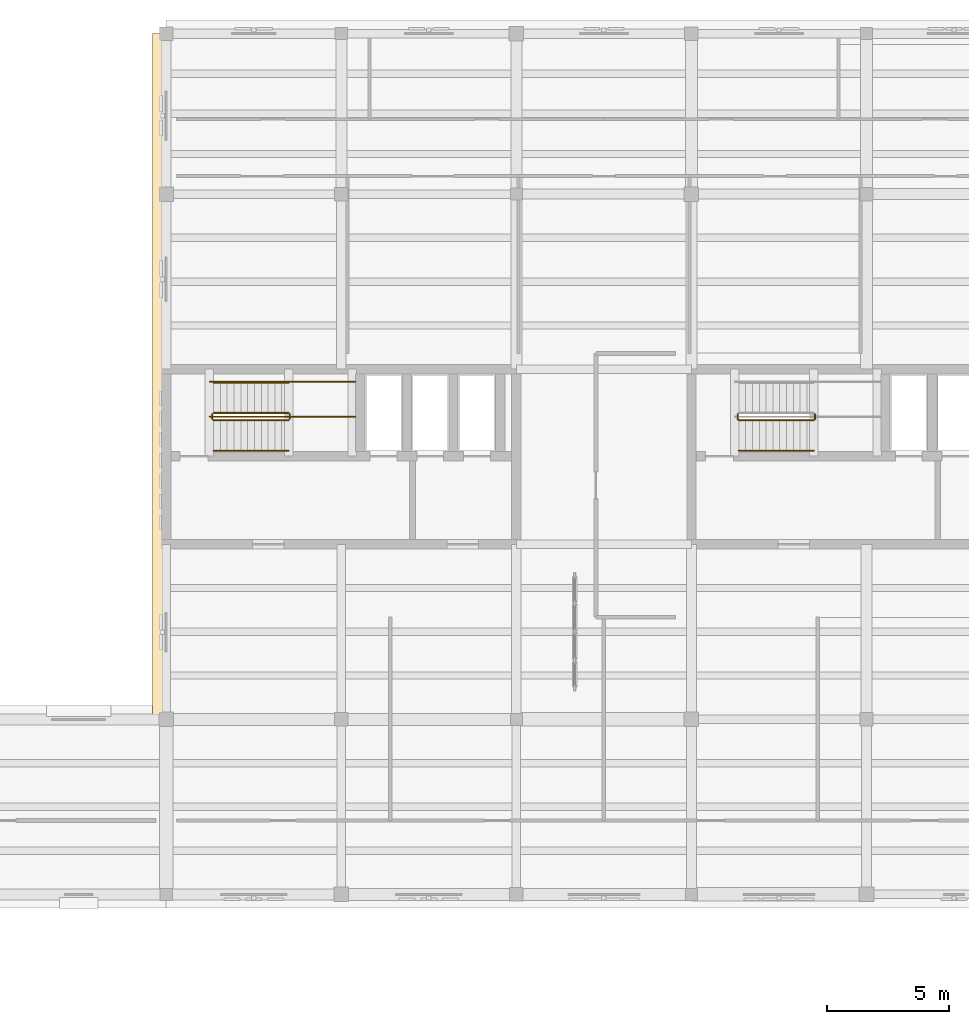
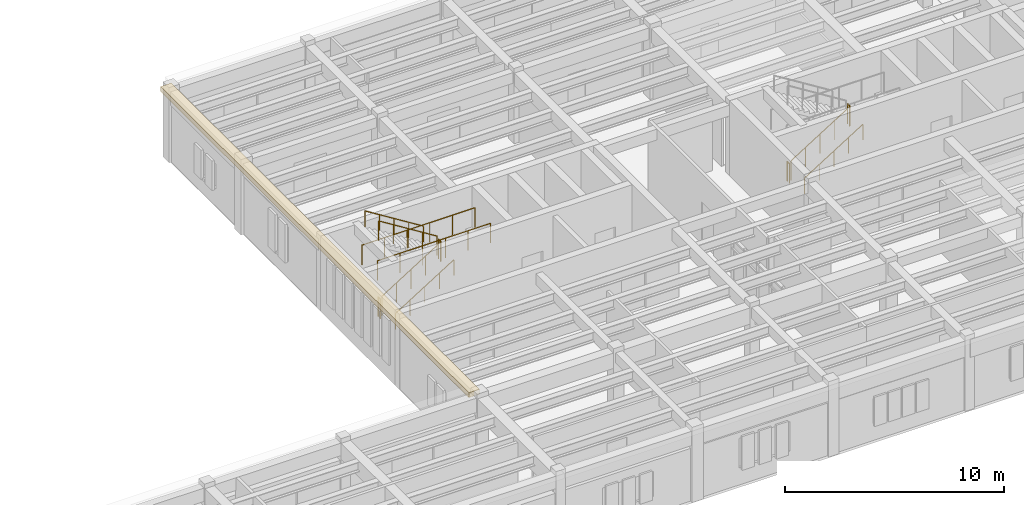
# One storey, part 26 of 27: 12 railings, 1 covering.
"""IFC4 building model written with IfcOpenShell, lengths in metres."""

import ifcopenshell
import ifcopenshell.guid

model = None  # the IFC model being written
_history = None  # IfcOwnerHistory: only IFC2X3 demands one
_inside = {}  # id of a spatial element -> (the spatial element, [elements in it])
_under = {}  # id of a project, library or spatial element -> (it, [spatial elements below it])
_declared = {}  # id of a project -> (the project, [libraries it declares])
_typed = {}  # id of a type object -> (the type object, [elements of that type])
_made_of = {}  # id of a material, layer set ... -> (it, [elements and type objects made of it])


def new_model(schema):
    """Start an empty IFC model of exactly this schema.

    Asked for "IFC4X3", IfcOpenShell would pick the latest addendum, in which some entities
    have other attributes; the version numbers below select the first issue.
    IFC2X3 requires an IfcOwnerHistory on every rooted entity: one is made here for all.
    """
    global model, _history
    if schema == "IFC4X3":
        model = ifcopenshell.file(schema_version=(4, 3, 0, 0))
    else:
        model = ifcopenshell.file(schema=schema)
    _inside.clear()
    _under.clear()
    _declared.clear()
    _typed.clear()
    _made_of.clear()
    _history = None
    if model.schema == "IFC2X3":
        org = make("IfcOrganization", Name="unknown")
        user = make(
            "IfcPersonAndOrganization",
            ThePerson=make("IfcPerson", FamilyName="unknown"),
            TheOrganization=org,
        )
        app = make(
            "IfcApplication",
            ApplicationDeveloper=org,
            Version="unknown",
            ApplicationFullName="unknown",
            ApplicationIdentifier="unknown",
        )
        _history = make(
            "IfcOwnerHistory",
            OwningUser=user,
            OwningApplication=app,
            ChangeAction="ADDED",
            CreationDate=0,
        )
    return model


def make(cls, **values):
    """One entity of the class cls with the attributes given. An attribute that is None is left unset."""
    return model.create_entity(
        cls, **{name: value for name, value in values.items() if value is not None}
    )


def rooted(cls, **values):
    """An entity with a GlobalId (a new one), such as an element, a storey or a relation."""
    return make(cls, GlobalId=ifcopenshell.guid.new(), OwnerHistory=_history, **values)


def si_unit(unit_type, name, prefix=None):
    """IfcSIUnit, for example si_unit("LENGTHUNIT", "METRE", prefix="MILLI")."""
    return make("IfcSIUnit", UnitType=unit_type, Prefix=prefix, Name=name)


def assignment(units):
    """IfcUnitAssignment: the units of a project."""
    return None if units is None else make("IfcUnitAssignment", Units=units)


def point(xyz):
    """IfcCartesianPoint."""
    return None if xyz is None else make("IfcCartesianPoint", Coordinates=xyz)


def direction(xyz):
    """IfcDirection."""
    return None if xyz is None else make("IfcDirection", DirectionRatios=xyz)


def frame(location, z_axis=None, x_axis=None):
    """IfcAxis2Placement3D, a coordinate frame: its origin and axes. An axis left out is left unset."""
    return make(
        "IfcAxis2Placement3D",
        Location=point(location),
        Axis=direction(z_axis),
        RefDirection=direction(x_axis),
    )


def frame_2d(location, x_axis=None):
    """IfcAxis2Placement2D, a coordinate frame in the plane: its origin and x axis."""
    return make(
        "IfcAxis2Placement2D", Location=point(location), RefDirection=direction(x_axis)
    )


def origin():
    """The frame at (0, 0, 0) with its axes left unset."""
    return frame((0.0, 0.0, 0.0))


def origin_2d():
    """The frame at (0, 0) in the plane with its x axis left unset."""
    return frame_2d((0.0, 0.0))


def place(relative_to, where):
    """IfcLocalPlacement: puts the frame where relative to a parent placement (None: the world)."""
    return make(
        "IfcLocalPlacement", PlacementRelTo=relative_to, RelativePlacement=where
    )


def context(
    kind, dimensions, precision=None, world=None, true_north=None, identifier=None
):
    """IfcGeometricRepresentationContext, for example the 3D "Model" context."""
    return make(
        "IfcGeometricRepresentationContext",
        ContextIdentifier=identifier,
        ContextType=kind,
        CoordinateSpaceDimension=dimensions,
        Precision=precision,
        WorldCoordinateSystem=world,
        TrueNorth=true_north,
    )


def subcontext(parent, identifier, kind, view, scale=None):
    """IfcGeometricRepresentationSubContext, for example "Body" below "Model"."""
    return make(
        "IfcGeometricRepresentationSubContext",
        ContextIdentifier=identifier,
        ContextType=kind,
        ParentContext=parent,
        TargetScale=scale,
        TargetView=view,
    )


def project(units=None, contexts=None):
    """IfcProject with its units and contexts."""
    return rooted(
        "IfcProject",
        Name="project",
        RepresentationContexts=contexts,
        UnitsInContext=assignment(units),
    )


def spatial(cls, under=None, at=None, **own):
    """A site, building, storey or space (cls), placed at a placement, below another one or the project."""
    s = rooted(cls, ObjectPlacement=at, **own)
    if under is not None:
        _under.setdefault(under.id(), (under, []))[1].append(s)
    return s


def profile(cls, at=None, kind="AREA", **sizes):
    """A parametric profile (cls). Its sizes go by their IFC names, for example OverallWidth=200.0."""
    return make(cls, ProfileType=kind, Position=at, **sizes)


def rectangle(**sizes):
    """IfcRectangleProfileDef."""
    return profile("IfcRectangleProfileDef", **sizes)


def circle(**sizes):
    """IfcCircleProfileDef."""
    return profile("IfcCircleProfileDef", **sizes)


def extrude(swept, where, along, depth):
    """IfcExtrudedAreaSolid: the profile swept, set in the frame where, extruded along a direction by depth."""
    return make(
        "IfcExtrudedAreaSolid",
        SweptArea=swept,
        Position=where,
        ExtrudedDirection=direction(along),
        Depth=depth,
    )


def shape(context_of_items, identifier, shape_type, items):
    """IfcShapeRepresentation: the items that make up one representation, for example the "Body"."""
    return make(
        "IfcShapeRepresentation",
        ContextOfItems=context_of_items,
        RepresentationIdentifier=identifier,
        RepresentationType=shape_type,
        Items=items,
    )


def material(Name=None, Category=None):
    """IfcMaterial."""
    return make("IfcMaterial", Name=Name, Category=Category)


def layer(
    of_material, thickness, ventilated=None, Name=None, Category=None, Priority=None
):
    """IfcMaterialLayer: one layer of a wall or slab, of a material (None: an air gap)."""
    return make(
        "IfcMaterialLayer",
        Material=of_material,
        LayerThickness=thickness,
        IsVentilated=ventilated,
        Name=Name,
        Category=Category,
        Priority=Priority,
    )


def layer_set(layers, Name=None):
    """IfcMaterialLayerSet."""
    return make("IfcMaterialLayerSet", MaterialLayers=layers, LayerSetName=Name)


def made_of(thing, what):
    """Note that an element or type object is made of a material, layer set ...; save() writes the relation."""
    if what is not None:
        _made_of.setdefault(what.id(), (what, []))[1].append(thing)
    return thing


def type_object(cls, material=None, **own):
    """A type object (cls), such as IfcWallType, which elements share."""
    return made_of(rooted(cls, **own), material)


def element(
    cls,
    number,
    at=None,
    inside=None,
    cuts=None,
    type_object=None,
    material=None,
    context=None,
    identifier="Body",
    shape_type=None,
    held_by="IfcProductDefinitionShape",
    body=None,
    shapes=None,
    **own,
):
    """One element of the class cls, such as IfcWall. Its Tag is "e" and its number.

    at: its placement. inside: the storey or other place that contains it. cuts: it is an
    opening in that element (IfcRelVoidsElement). A single representation is given by context,
    identifier, shape_type and body (its items); several are given by shapes. held_by: the class
    of the entity that holds the representations. save() writes the other relations.
    """
    e = rooted(cls, Tag="e%d" % number, ObjectPlacement=at, **own)
    if body is not None:
        shapes = [shape(context, identifier, shape_type, body)]
    if shapes is not None:
        e.Representation = make(held_by, Representations=shapes)
    if inside is not None:
        _inside.setdefault(inside.id(), (inside, []))[1].append(e)
    if cuts is not None:
        rooted(
            "IfcRelVoidsElement", RelatingBuildingElement=cuts, RelatedOpeningElement=e
        )
    if type_object is not None:
        _typed.setdefault(type_object.id(), (type_object, []))[1].append(e)
    return made_of(e, material)


def aggregate(whole, parts):
    """IfcRelAggregates: a whole, such as a stair, and the parts it consists of."""
    return rooted("IfcRelAggregates", RelatingObject=whole, RelatedObjects=parts)


def save(model, path):
    """Write the relations noted so far, then the file.

    IfcRelAggregates (storeys below a building ...), IfcRelContainedInSpatialStructure (elements
    in a storey), IfcRelDefinesByType, IfcRelAssociatesMaterial and IfcRelDeclares: one each for
    every whole, place, type object, material and project.
    """
    for whole, parts in _under.values():
        aggregate(whole, parts)
    for where, things in _inside.values():
        rooted(
            "IfcRelContainedInSpatialStructure",
            RelatedElements=things,
            RelatingStructure=where,
        )
    for kind, things in _typed.values():
        rooted("IfcRelDefinesByType", RelatedObjects=things, RelatingType=kind)
    for what, things in _made_of.values():
        rooted("IfcRelAssociatesMaterial", RelatedObjects=things, RelatingMaterial=what)
    for by, libraries in _declared.values():
        rooted("IfcRelDeclares", RelatingContext=by, RelatedDefinitions=libraries)
    model.write(path)


model = new_model("IFC4")

# Units and contexts
model_context = context("Model", 3, precision=1e-05, world=origin(), true_north=direction((0.0, 1.0)))
body_context = subcontext(model_context, "Body", "Model", "MODEL_VIEW")
ifc_project = project(units=[si_unit("LENGTHUNIT", "METRE"), si_unit("AREAUNIT", "SQUARE_METRE"), si_unit("VOLUMEUNIT", "CUBIC_METRE"), si_unit("PLANEANGLEUNIT", "RADIAN"), si_unit("MASSUNIT", "GRAM", prefix="KILO")], contexts=[model_context])

# Site, building, storey
site_placement = place(None, origin())
site = spatial("IfcSite", under=ifc_project, at=site_placement, CompositionType="ELEMENT")
building_placement = place(site_placement, origin())
building = spatial("IfcBuilding", under=site, at=building_placement, Name="Mithqara Police Headquarters", CompositionType="ELEMENT")
storey_placement = place(building_placement, frame((0.0, 0.0, 18.0)))
storey = spatial("IfcBuildingStorey", under=building, at=storey_placement, Name="L04", CompositionType="ELEMENT", Elevation=18.0)

# Covering
ifc_material_1 = material(Name="Limestone ashlar masonry, 45 MPa", Category="masonry")
ifc_layer = layer(ifc_material_1, 0.320068359375, Name="Limestone ashlar masonry, 45 MPa")
ifc_layer_set = layer_set([ifc_layer], Name="Limestone ashlar masonry, 45 MPa")
covering_type = type_object("IfcCoveringType", Name="CORNICE LIMESTONE", PredefinedType="CLADDING", material=ifc_layer_set)
covering_placement = place(storey_placement, frame((108.320068359375, 99.89990234375, 3.919921875), z_axis=(0.0, 0.0, 1.0), x_axis=(0.0, 1.0, 0.0)))
element("IfcCovering", 1, at=covering_placement, inside=storey, type_object=covering_type, Name="L04 Projecting Ottoman Limestone Eaves Cornice 7", PredefinedType="CLADDING", context=body_context, shape_type="SweptSolid", body=[
    extrude(rectangle(XDim=28.199951171875, YDim=0.56005859375, at=origin_2d()), origin(), (0.0, 0.0, 1.0), 0.280029296875),
])

# Railings
ifc_material_2 = material(Name="Steel S355JR", Category="steel")
railing_type_1 = type_object("IfcRailingType", Name="HANDRAIL 920", PredefinedType="HANDRAIL", material=ifc_material_2)
railing_1_placement = place(storey_placement, frame((110.550048828125, 96.85009765625, 0.175048828125)))
element("IfcRailing", 2, at=railing_1_placement, inside=storey, type_object=railing_type_1, Name="L04 ST-01 stair handrail 1", PredefinedType="HANDRAIL", context=body_context, shape_type="SweptSolid", body=[
    extrude(circle(Radius=0.02392578125, at=origin_2d()), frame((0.0, 0.0, 0.8759765625), z_axis=(0.847979421464, 0.0, 0.530029150871), x_axis=(0.0, 1.0, 0.0)), (0.0, 0.0, 1.0), 3.632080078125),
    extrude(circle(Radius=0.02099609375, at=origin_2d()), origin(), (0.0, 0.0, 1.0), 0.851806640625),
    extrude(circle(Radius=0.02099609375, at=origin_2d()), frame((0.77001953125, 0.0, 0.481201171875)), (0.0, 0.0, 1.0), 0.851806640625),
    extrude(circle(Radius=0.02099609375, at=origin_2d()), frame((1.5400390625, 0.0, 0.96240234375)), (0.0, 0.0, 1.0), 0.851806640625),
    extrude(circle(Radius=0.02099609375, at=origin_2d()), frame((2.309814453125, 0.0, 1.44384765625)), (0.0, 0.0, 1.0), 0.851806640625),
    extrude(circle(Radius=0.02099609375, at=origin_2d()), frame((3.079833984375, 0.0, 1.925048828125)), (0.0, 0.0, 1.0), 0.851806640625),
])
railing_2_placement = place(storey_placement, frame((113.6298828125, 99.64990234375, 2.27490234375)))
element("IfcRailing", 3, at=railing_2_placement, inside=storey, type_object=railing_type_1, Name="L04 ST-01 stair handrail 2", PredefinedType="HANDRAIL", context=body_context, shape_type="SweptSolid", body=[
    extrude(circle(Radius=0.02392578125, at=origin_2d()), frame((0.0, 0.0, 0.8759765625), z_axis=(-0.847979421464, 0.0, 0.530029150871), x_axis=(0.0, -1.0, 0.0)), (0.0, 0.0, 1.0), 3.632080078125),
    extrude(circle(Radius=0.02099609375, at=origin_2d()), origin(), (0.0, 0.0, 1.0), 0.851806640625),
    extrude(circle(Radius=0.02099609375, at=origin_2d()), frame((-0.77001953125, 0.0, 0.481201171875)), (0.0, 0.0, 1.0), 0.851806640625),
    extrude(circle(Radius=0.02099609375, at=origin_2d()), frame((-1.5400390625, 0.0, 0.96240234375)), (0.0, 0.0, 1.0), 0.851806640625),
    extrude(circle(Radius=0.02099609375, at=origin_2d()), frame((-2.309814453125, 0.0, 1.44384765625)), (0.0, 0.0, 1.0), 0.851806640625),
    extrude(circle(Radius=0.02099609375, at=origin_2d()), frame((-3.079833984375, 0.0, 1.925048828125)), (0.0, 0.0, 1.0), 0.851806640625),
])
railing_3_placement = place(storey_placement, frame((132.14990234375, 96.85009765625, 0.175048828125)))
element("IfcRailing", 4, at=railing_3_placement, inside=storey, type_object=railing_type_1, Name="L04 ST-02 stair handrail 1", PredefinedType="HANDRAIL", context=body_context, shape_type="SweptSolid", body=[
    extrude(circle(Radius=0.02392578125, at=origin_2d()), frame((0.0, 0.0, 0.8759765625), z_axis=(0.847998304005, 0.0, 0.529998940003), x_axis=(0.0, 1.0, 0.0)), (0.0, 0.0, 1.0), 3.632080078125),
    extrude(circle(Radius=0.02099609375, at=origin_2d()), origin(), (0.0, 0.0, 1.0), 0.851806640625),
    extrude(circle(Radius=0.02099609375, at=origin_2d()), frame((0.77001953125, 0.0, 0.481201171875)), (0.0, 0.0, 1.0), 0.851806640625),
    extrude(circle(Radius=0.02099609375, at=origin_2d()), frame((1.5400390625, 0.0, 0.96240234375)), (0.0, 0.0, 1.0), 0.851806640625),
    extrude(circle(Radius=0.02099609375, at=origin_2d()), frame((2.31005859375, 0.0, 1.44384765625)), (0.0, 0.0, 1.0), 0.851806640625),
    extrude(circle(Radius=0.02099609375, at=origin_2d()), frame((3.080078125, 0.0, 1.925048828125)), (0.0, 0.0, 1.0), 0.851806640625),
])
railing_type_2 = type_object("IfcRailingType", Name="STAIR GUARD 1120", PredefinedType="GUARDRAIL", material=ifc_material_2)
railing_4_placement = place(storey_placement, frame((110.550048828125, 98.10009765625, 0.175048828125)))
element("IfcRailing", 5, at=railing_4_placement, inside=storey, type_object=railing_type_2, Name="L04 ST-01 stair guard 1", PredefinedType="GUARDRAIL", context=body_context, shape_type="SweptSolid", body=[
    extrude(circle(Radius=0.02392578125, at=origin_2d()), frame((0.0, 0.0, 1.076171875), z_axis=(0.847979421464, 0.0, 0.530029150871), x_axis=(0.0, 1.0, 0.0)), (0.0, 0.0, 1.0), 3.632080078125),
    extrude(circle(Radius=0.02099609375, at=origin_2d()), origin(), (0.0, 0.0, 1.0), 1.052001953125),
    extrude(circle(Radius=0.02099609375, at=origin_2d()), frame((0.77001953125, 0.0, 0.481201171875)), (0.0, 0.0, 1.0), 1.052001953125),
    extrude(circle(Radius=0.02099609375, at=origin_2d()), frame((1.5400390625, 0.0, 0.96240234375)), (0.0, 0.0, 1.0), 1.052001953125),
    extrude(circle(Radius=0.02099609375, at=origin_2d()), frame((2.309814453125, 0.0, 1.44384765625)), (0.0, 0.0, 1.0), 1.052001953125),
    extrude(circle(Radius=0.02099609375, at=origin_2d()), frame((3.079833984375, 0.0, 1.925048828125)), (0.0, 0.0, 1.0), 1.052001953125),
])
railing_5_placement = place(storey_placement, frame((113.679931640625, 98.14990234375, 2.10009765625)))
element("IfcRailing", 6, at=railing_5_placement, inside=storey, type_object=railing_type_2, Name="L04 ST-01 stair guard 2", PredefinedType="GUARDRAIL", context=body_context, shape_type="SweptSolid", body=[
    extrude(circle(Radius=0.02392578125, at=origin_2d()), frame((0.0, 0.0, 1.076171875), z_axis=(0.0, 1.0, 0.0), x_axis=(-1.0, 0.0, 0.0)), (0.0, 0.0, 1.0), 0.2001953125),
    extrude(circle(Radius=0.02099609375, at=origin_2d()), origin(), (0.0, 0.0, 1.0), 1.052001953125),
    extrude(circle(Radius=0.02099609375, at=origin_2d()), frame((0.0, 0.2001953125, 0.0)), (0.0, 0.0, 1.0), 1.052001953125),
])
railing_6_placement = place(storey_placement, frame((113.6298828125, 98.39990234375, 2.27490234375)))
element("IfcRailing", 7, at=railing_6_placement, inside=storey, type_object=railing_type_2, Name="L04 ST-01 stair guard 3", PredefinedType="GUARDRAIL", context=body_context, shape_type="SweptSolid", body=[
    extrude(circle(Radius=0.02392578125, at=origin_2d()), frame((0.0, 0.0, 1.076171875), z_axis=(-0.847979421464, 0.0, 0.530029150871), x_axis=(0.0, -1.0, 0.0)), (0.0, 0.0, 1.0), 3.632080078125),
    extrude(circle(Radius=0.02099609375, at=origin_2d()), origin(), (0.0, 0.0, 1.0), 1.052001953125),
    extrude(circle(Radius=0.02099609375, at=origin_2d()), frame((-0.77001953125, 0.0, 0.481201171875)), (0.0, 0.0, 1.0), 1.052001953125),
    extrude(circle(Radius=0.02099609375, at=origin_2d()), frame((-1.5400390625, 0.0, 0.96240234375)), (0.0, 0.0, 1.0), 1.052001953125),
    extrude(circle(Radius=0.02099609375, at=origin_2d()), frame((-2.309814453125, 0.0, 1.44384765625)), (0.0, 0.0, 1.0), 1.052001953125),
    extrude(circle(Radius=0.02099609375, at=origin_2d()), frame((-3.079833984375, 0.0, 1.925048828125)), (0.0, 0.0, 1.0), 1.052001953125),
])
railing_7_placement = place(storey_placement, frame((110.5, 98.14990234375, 0.0)))
element("IfcRailing", 8, at=railing_7_placement, inside=storey, type_object=railing_type_2, Name="L04 ST-01 stair guard 4", PredefinedType="GUARDRAIL", context=body_context, shape_type="SweptSolid", body=[
    extrude(circle(Radius=0.02392578125, at=origin_2d()), frame((0.0, 0.0, 1.076171875), z_axis=(0.0, 1.0, 0.0), x_axis=(-1.0, 0.0, 0.0)), (0.0, 0.0, 1.0), 0.2001953125),
    extrude(circle(Radius=0.02099609375, at=origin_2d()), origin(), (0.0, 0.0, 1.0), 1.052001953125),
    extrude(circle(Radius=0.02099609375, at=origin_2d()), frame((0.0, 0.2001953125, 0.0)), (0.0, 0.0, 1.0), 1.052001953125),
])
for number, where, name in (
    (9, (110.39990234375, 98.25, 2.10009765625), "L04 ST-01 Half-Landing Guard IN"),
    (10, (110.39990234375, 99.679931640625, 2.10009765625), "L04 ST-01 Half-Landing Guard OUT"),
):
    element("IfcRailing", number, at=place(storey_placement, frame(where)), inside=storey, type_object=railing_type_2, Name=name, PredefinedType="GUARDRAIL", context=body_context, shape_type="SweptSolid", body=[
        extrude(circle(Radius=0.02392578125, at=origin_2d()), frame((0.0, 0.0, 1.09619140625), z_axis=(1.0, 0.0, 0.0), x_axis=(0.0, 1.0, 0.0)), (0.0, 0.0, 1.0), 5.97998046875),
        extrude(circle(Radius=0.02099609375, at=origin_2d()), origin(), (0.0, 0.0, 1.0), 1.072021484375),
        extrude(circle(Radius=0.02099609375, at=origin_2d()), frame((1.196044921875, 0.0, 0.0)), (0.0, 0.0, 1.0), 1.072021484375),
        extrude(circle(Radius=0.02099609375, at=origin_2d()), frame((2.39208984375, 0.0, 0.0)), (0.0, 0.0, 1.0), 1.072021484375),
        extrude(circle(Radius=0.02099609375, at=origin_2d()), frame((3.587890625, 0.0, 0.0)), (0.0, 0.0, 1.0), 1.072021484375),
        extrude(circle(Radius=0.02099609375, at=origin_2d()), frame((4.783935546875, 0.0, 0.0)), (0.0, 0.0, 1.0), 1.072021484375),
        extrude(circle(Radius=0.02099609375, at=origin_2d()), frame((5.97998046875, 0.0, 0.0)), (0.0, 0.0, 1.0), 1.072021484375),
    ])
railing_8_placement = place(storey_placement, frame((132.14990234375, 98.10009765625, 0.175048828125)))
element("IfcRailing", 11, at=railing_8_placement, inside=storey, type_object=railing_type_2, Name="L04 ST-02 stair guard 1", PredefinedType="GUARDRAIL", context=body_context, shape_type="SweptSolid", body=[
    extrude(circle(Radius=0.02392578125, at=origin_2d()), frame((0.0, 0.0, 1.076171875), z_axis=(0.847998304005, 0.0, 0.529998940003), x_axis=(0.0, 1.0, 0.0)), (0.0, 0.0, 1.0), 3.632080078125),
    extrude(circle(Radius=0.02099609375, at=origin_2d()), origin(), (0.0, 0.0, 1.0), 1.052001953125),
    extrude(circle(Radius=0.02099609375, at=origin_2d()), frame((0.77001953125, 0.0, 0.481201171875)), (0.0, 0.0, 1.0), 1.052001953125),
    extrude(circle(Radius=0.02099609375, at=origin_2d()), frame((1.5400390625, 0.0, 0.96240234375)), (0.0, 0.0, 1.0), 1.052001953125),
    extrude(circle(Radius=0.02099609375, at=origin_2d()), frame((2.31005859375, 0.0, 1.44384765625)), (0.0, 0.0, 1.0), 1.052001953125),
    extrude(circle(Radius=0.02099609375, at=origin_2d()), frame((3.080078125, 0.0, 1.925048828125)), (0.0, 0.0, 1.0), 1.052001953125),
])
for number, where, name in (
    (12, (135.280029296875, 98.14990234375, 2.10009765625), "L04 ST-02 stair guard 2"),
    (13, (132.10009765625, 98.14990234375, 0.0), "L04 ST-02 stair guard 4"),
):
    element("IfcRailing", number, at=place(storey_placement, frame(where)), inside=storey, type_object=railing_type_2, Name=name, PredefinedType="GUARDRAIL", context=body_context, shape_type="SweptSolid", body=[
        extrude(circle(Radius=0.02392578125, at=origin_2d()), frame((0.0, 0.0, 1.076171875), z_axis=(0.0, 1.0, 0.0), x_axis=(-1.0, 0.0, 0.0)), (0.0, 0.0, 1.0), 0.2001953125),
        extrude(circle(Radius=0.02099609375, at=origin_2d()), origin(), (0.0, 0.0, 1.0), 1.052001953125),
        extrude(circle(Radius=0.02099609375, at=origin_2d()), frame((0.0, 0.2001953125, 0.0)), (0.0, 0.0, 1.0), 1.052001953125),
    ])

save(model, "model.ifc")
